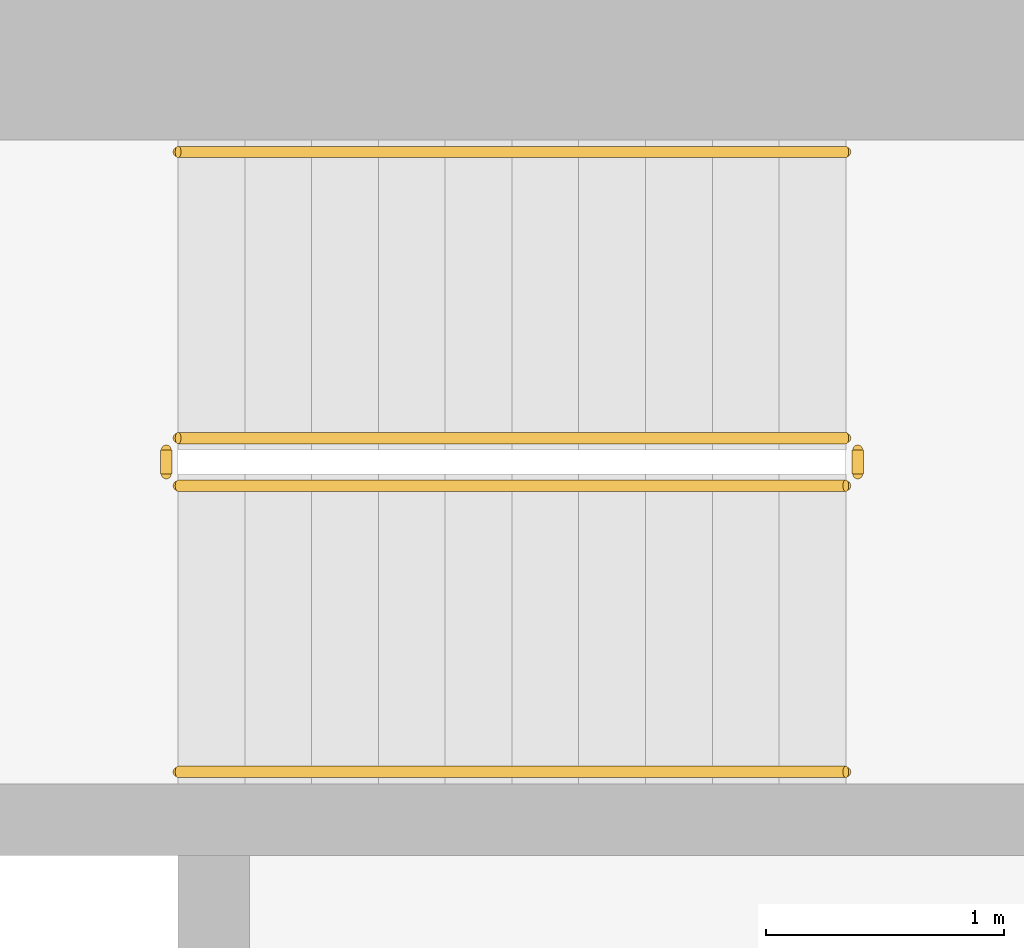
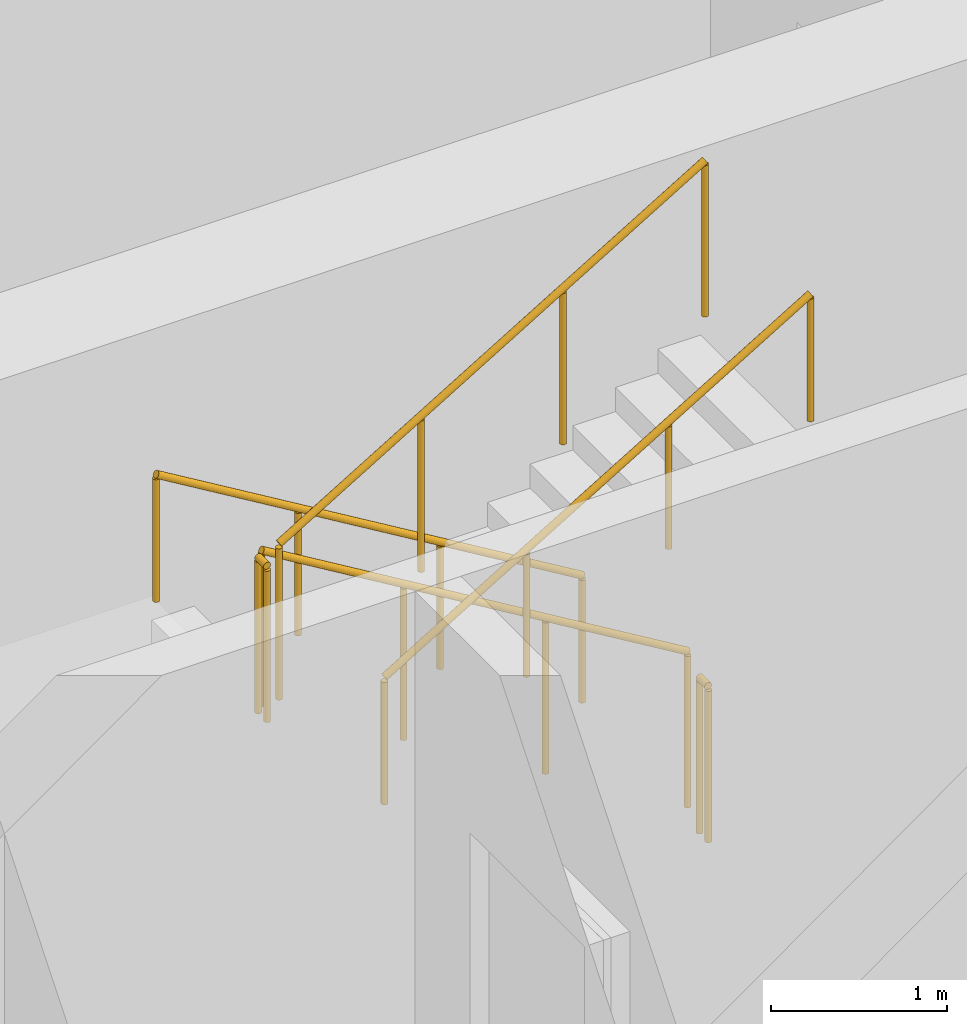
# One storey, part 18 of 23: 6 railings.
"""IFC4 building model written with IfcOpenShell, lengths in metres."""

from ifc_helpers import new_model, si_unit, direction, frame, origin, origin_2d, place, context, subcontext, project, spatial, circle, extrude, material, type_object, element, save


model = new_model("IFC4")

# Units and contexts
model_context = context("Model", 3, precision=1e-05, world=origin(), true_north=direction((0.0, 1.0)))
body_context = subcontext(model_context, "Body", "Model", "MODEL_VIEW")
ifc_project = project(units=[si_unit("LENGTHUNIT", "METRE"), si_unit("AREAUNIT", "SQUARE_METRE"), si_unit("VOLUMEUNIT", "CUBIC_METRE"), si_unit("PLANEANGLEUNIT", "RADIAN"), si_unit("MASSUNIT", "GRAM", prefix="KILO")], contexts=[model_context])

# Site, building, storey
site_placement = place(None, origin())
site = spatial("IfcSite", under=ifc_project, at=site_placement, CompositionType="ELEMENT")
building_placement = place(site_placement, origin())
building = spatial("IfcBuilding", under=site, at=building_placement, Name="Ogive Portal Towers", CompositionType="ELEMENT")
storey_placement = place(building_placement, frame((0.0, 0.0, 120.39990234375)))
storey = spatial("IfcBuildingStorey", under=building, at=storey_placement, Name="L29", CompositionType="ELEMENT", Elevation=120.39990234375)

# Railings
ifc_material_1 = material(Name="Stainless steel balustrade", Category="steel")
railing_type_1 = type_object("IfcRailingType", Name="INT-GUARD", PredefinedType="GUARDRAIL", material=ifc_material_1)
railing_1_placement = place(storey_placement, frame((37.449951171875, 37.800048828125, 0.168212890625)))
element("IfcRailing", 1, at=railing_1_placement, inside=storey, type_object=railing_type_1, Name="L29 ST-A1 stair guard 1", PredefinedType="GUARDRAIL", context=body_context, shape_type="SweptSolid", body=[
    extrude(circle(Radius=0.02392578125, at=origin_2d()), frame((0.0, 0.0, 1.076171875), z_axis=(-0.857242210791, 0.0, 0.514913383045), x_axis=(0.0, -1.0, 0.0)), (0.0, 0.0, 1.0), 3.266357421875),
    extrude(circle(Radius=0.02099609375, at=origin_2d()), origin(), (0.0, 0.0, 1.0), 1.052001953125),
    extrude(circle(Radius=0.02099609375, at=origin_2d()), frame((-0.933349609375, 0.0, 0.560546875)), (0.0, 0.0, 1.0), 1.052001953125),
    extrude(circle(Radius=0.02099609375, at=origin_2d()), frame((-1.86669921875, 0.0, 1.121337890625)), (0.0, 0.0, 1.0), 1.052001953125),
    extrude(circle(Radius=0.02099609375, at=origin_2d()), frame((-2.800048828125, 0.0, 1.681884765625)), (0.0, 0.0, 1.0), 1.052001953125),
])
railing_2_placement = place(storey_placement, frame((34.60009765625, 37.75, 1.85009765625)))
element("IfcRailing", 2, at=railing_2_placement, inside=storey, type_object=railing_type_1, Name="L29 ST-A1 stair guard 2", PredefinedType="GUARDRAIL", context=body_context, shape_type="SweptSolid", body=[
    extrude(circle(Radius=0.02392578125, at=origin_2d()), frame((0.0, 0.0, 1.076171875), z_axis=(0.0, -1.0, 0.0), x_axis=(1.0, 0.0, 0.0)), (0.0, 0.0, 1.0), 0.10009765625),
    extrude(circle(Radius=0.02099609375, at=origin_2d()), origin(), (0.0, 0.0, 1.0), 1.052001953125),
    extrude(circle(Radius=0.02099609375, at=origin_2d()), frame((0.0, -0.10009765625, 0.0)), (0.0, 0.0, 1.0), 1.052001953125),
])
railing_3_placement = place(storey_placement, frame((34.64990234375, 37.60009765625, 2.018310546875)))
element("IfcRailing", 3, at=railing_3_placement, inside=storey, type_object=railing_type_1, Name="L29 ST-A1 stair guard 3", PredefinedType="GUARDRAIL", context=body_context, shape_type="SweptSolid", body=[
    extrude(circle(Radius=0.02392578125, at=origin_2d()), frame((0.0, 0.0, 1.076171875), z_axis=(0.857242210791, 0.0, 0.514913383045), x_axis=(0.0, 1.0, 0.0)), (0.0, 0.0, 1.0), 3.266357421875),
    extrude(circle(Radius=0.02099609375, at=origin_2d()), origin(), (0.0, 0.0, 1.0), 1.052001953125),
    extrude(circle(Radius=0.02099609375, at=origin_2d()), frame((0.933349609375, 0.0, 0.560546875)), (0.0, 0.0, 1.0), 1.052001953125),
    extrude(circle(Radius=0.02099609375, at=origin_2d()), frame((1.86669921875, 0.0, 1.121337890625)), (0.0, 0.0, 1.0), 1.052001953125),
    extrude(circle(Radius=0.02099609375, at=origin_2d()), frame((2.800048828125, 0.0, 1.681884765625)), (0.0, 0.0, 1.0), 1.052001953125),
])
railing_4_placement = place(storey_placement, frame((37.5, 37.75, 0.0)))
element("IfcRailing", 4, at=railing_4_placement, inside=storey, type_object=railing_type_1, Name="L29 ST-A1 stair guard 4", PredefinedType="GUARDRAIL", context=body_context, shape_type="SweptSolid", body=[
    extrude(circle(Radius=0.02392578125, at=origin_2d()), frame((0.0, 0.0, 1.076171875), z_axis=(0.0, -1.0, 0.0), x_axis=(1.0, 0.0, 0.0)), (0.0, 0.0, 1.0), 0.10009765625),
    extrude(circle(Radius=0.02099609375, at=origin_2d()), origin(), (0.0, 0.0, 1.0), 1.052001953125),
    extrude(circle(Radius=0.02099609375, at=origin_2d()), frame((0.0, -0.10009765625, 0.0)), (0.0, 0.0, 1.0), 1.052001953125),
])
ifc_material_2 = material(Name="Stainless steel handrail", Category="steel")
railing_type_2 = type_object("IfcRailingType", Name="INT-HANDRAIL", PredefinedType="HANDRAIL", material=ifc_material_2)
railing_5_placement = place(storey_placement, frame((37.449951171875, 39.0, 0.168212890625)))
element("IfcRailing", 5, at=railing_5_placement, inside=storey, type_object=railing_type_2, Name="L29 ST-A1 stair handrail 1", PredefinedType="HANDRAIL", context=body_context, shape_type="SweptSolid", body=[
    extrude(circle(Radius=0.02392578125, at=origin_2d()), frame((0.0, 0.0, 0.8759765625), z_axis=(-0.857242210791, 0.0, 0.514913383045), x_axis=(0.0, -1.0, 0.0)), (0.0, 0.0, 1.0), 3.266357421875),
    extrude(circle(Radius=0.02099609375, at=origin_2d()), origin(), (0.0, 0.0, 1.0), 0.851806640625),
    extrude(circle(Radius=0.02099609375, at=origin_2d()), frame((-0.933349609375, 0.0, 0.560546875)), (0.0, 0.0, 1.0), 0.851806640625),
    extrude(circle(Radius=0.02099609375, at=origin_2d()), frame((-1.86669921875, 0.0, 1.121337890625)), (0.0, 0.0, 1.0), 0.851806640625),
    extrude(circle(Radius=0.02099609375, at=origin_2d()), frame((-2.800048828125, 0.0, 1.681884765625)), (0.0, 0.0, 1.0), 0.851806640625),
])
railing_6_placement = place(storey_placement, frame((34.64990234375, 36.39990234375, 2.018310546875)))
element("IfcRailing", 6, at=railing_6_placement, inside=storey, type_object=railing_type_2, Name="L29 ST-A1 stair handrail 2", PredefinedType="HANDRAIL", context=body_context, shape_type="SweptSolid", body=[
    extrude(circle(Radius=0.02392578125, at=origin_2d()), frame((0.0, 0.0, 0.8759765625), z_axis=(0.857242210791, 0.0, 0.514913383045), x_axis=(0.0, 1.0, 0.0)), (0.0, 0.0, 1.0), 3.266357421875),
    extrude(circle(Radius=0.02099609375, at=origin_2d()), origin(), (0.0, 0.0, 1.0), 0.851806640625),
    extrude(circle(Radius=0.02099609375, at=origin_2d()), frame((0.933349609375, 0.0, 0.560546875)), (0.0, 0.0, 1.0), 0.851806640625),
    extrude(circle(Radius=0.02099609375, at=origin_2d()), frame((1.86669921875, 0.0, 1.121337890625)), (0.0, 0.0, 1.0), 0.851806640625),
    extrude(circle(Radius=0.02099609375, at=origin_2d()), frame((2.800048828125, 0.0, 1.681884765625)), (0.0, 0.0, 1.0), 0.851806640625),
])

save(model, "model.ifc")
